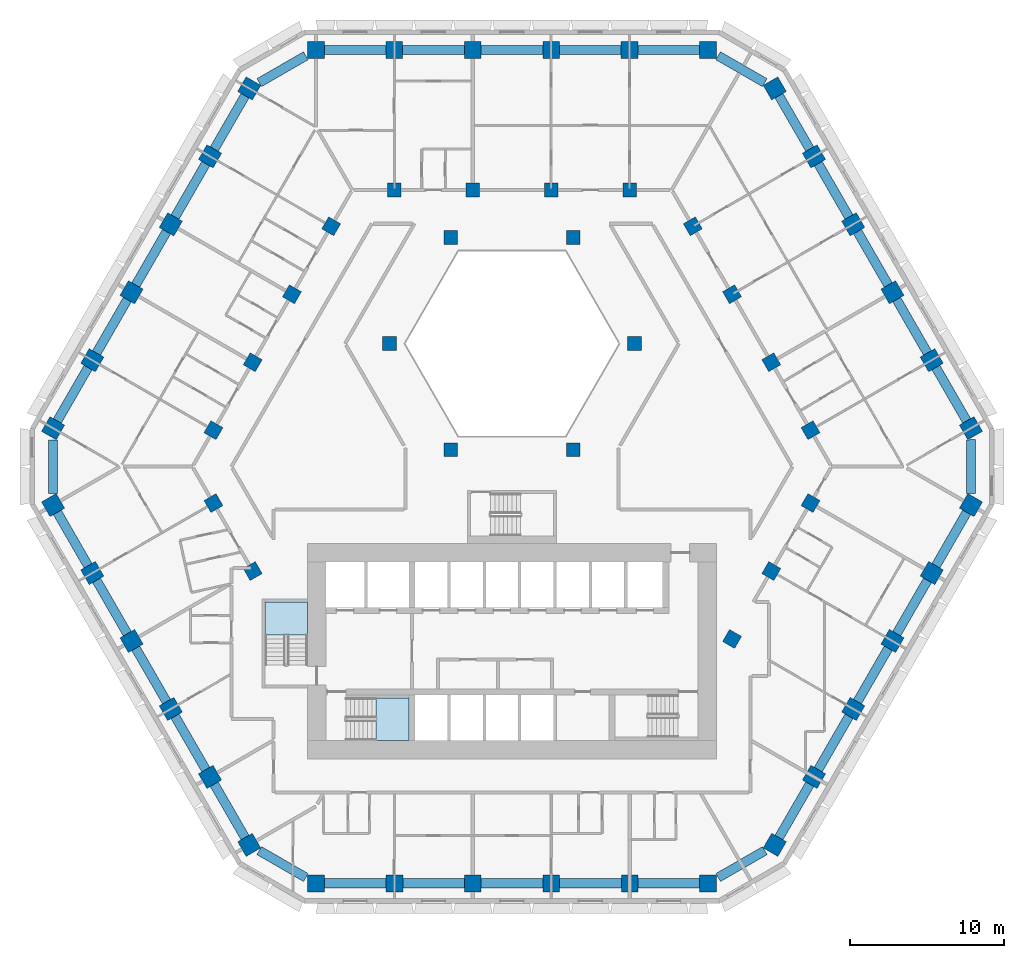
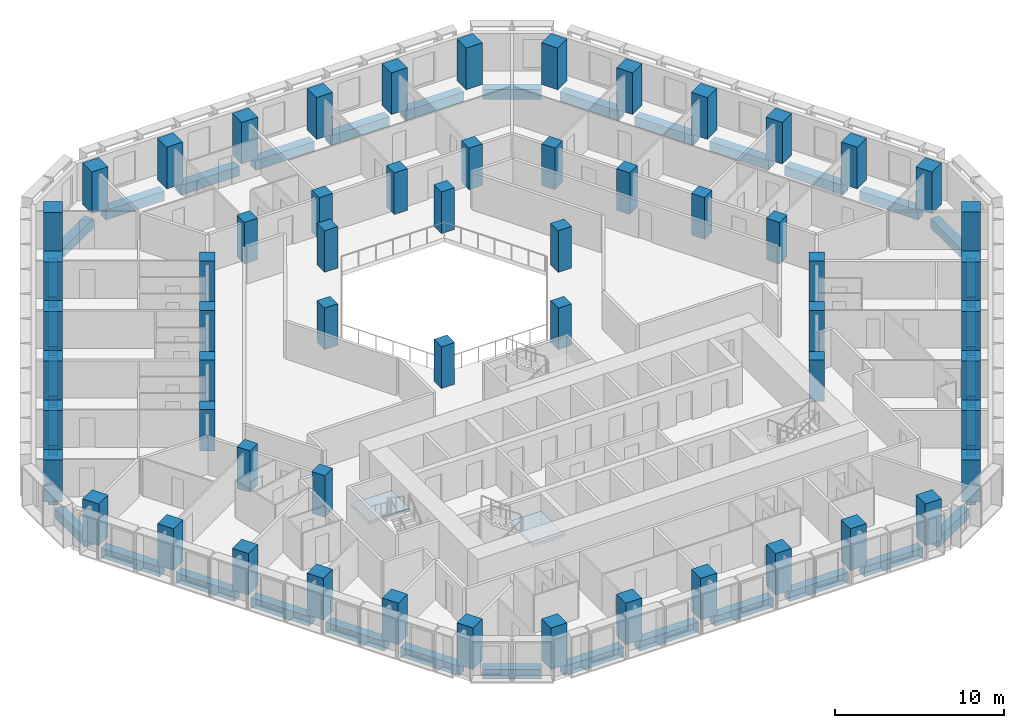
# One storey, part 1 of 16: 59 columns, 36 beams, 2 slabs, 2 elements without a shape of their own.
"""IFC4 building model written with IfcOpenShell, lengths in metres."""

from ifc_helpers import new_model, si_unit, direction, frame, origin, origin_2d, place, context, subcontext, project, spatial, polyline, rectangle, outline, extrude, material, layer, layer_set, material_profile, profile_set, type_object, element, aggregate, save


model = new_model("IFC4")

# Units and contexts
model_context = context("Model", 3, precision=1e-05, world=origin(), true_north=direction((0.0, 1.0)))
body_context = subcontext(model_context, "Body", "Model", "MODEL_VIEW")
ifc_project = project(units=[si_unit("LENGTHUNIT", "METRE"), si_unit("AREAUNIT", "SQUARE_METRE"), si_unit("VOLUMEUNIT", "CUBIC_METRE"), si_unit("PLANEANGLEUNIT", "RADIAN"), si_unit("MASSUNIT", "GRAM", prefix="KILO")], contexts=[model_context])

# Site, building, storey
site_placement = place(None, origin())
site = spatial("IfcSite", under=ifc_project, at=site_placement, CompositionType="ELEMENT")
building_placement = place(site_placement, origin())
building = spatial("IfcBuilding", under=site, at=building_placement, Name="Beryl Residences", CompositionType="ELEMENT")
storey_placement = place(building_placement, frame((0.0, 0.0, 44.39990234375)))
storey = spatial("IfcBuildingStorey", under=building, at=storey_placement, Name="L13", CompositionType="ELEMENT", Elevation=44.39990234375)

# Columns
ifc_material_1 = material(Name="Concrete C80/95", Category="concrete")
ifc_material_profile_1 = material_profile(ifc_material_1, rectangle(XDim=1.10009765625, YDim=1.10009765625, at=origin_2d()))
ifc_profile_set_1 = profile_set([ifc_material_profile_1], Name="Concrete C80/95")
column_type_1 = type_object("IfcColumnType", Name="C1 tube column 1100 x 1100 C80/95", PredefinedType="COLUMN", material=ifc_profile_set_1)
for number, where, z_axis, x_axis, name in (
    (1, (12.759033203125, 27.10009765625, 0.0), (0.0, 0.0, 1.0), (-1.0, 0.0, 0.0), "C1-N1 L13"),
    (2, (7.655029296875, 27.10009765625, 0.0), (0.0, 0.0, 1.0), (-1.0, 0.0, 0.0), "C1-N2 L13"),
    (3, (2.551025390625, 27.10009765625, 0.0), (0.0, 0.0, 1.0), (-1.0, 0.0, 0.0), "C1-N3 L13"),
    (4, (-2.552978515625, 27.10009765625, 0.0), (0.0, 0.0, 1.0), (-1.0, 0.0, 0.0), "C1-N4 L13"),
    (5, (-7.656982421875, 27.10009765625, 0.0), (0.0, 0.0, 1.0), (-1.0, 0.0, 0.0), "C1-N5 L13"),
    (6, (-12.760986328125, 27.10009765625, 0.0), (0.0, 0.0, 1.0), (-1.0, 0.0, 0.0), "C1-N6 L13"),
    (7, (-17.090087890625, 24.60009765625, 0.0), (0.0, 0.0, 1.0), (-0.499984884929, -0.866034130299, 0.0), "C1-NW1 L13"),
    (8, (-19.64208984375, 20.179931640625, 0.0), (0.0, 0.0, 1.0), (-0.499984884929, -0.866034130299, 0.0), "C1-NW2 L13"),
    (9, (-22.194091796875, 15.759033203125, 0.0), (0.0, 0.0, 1.0), (-0.499984884929, -0.866034130299, 0.0), "C1-NW3 L13"),
    (10, (-24.74609375, 11.339111328125, 0.0), (0.0, 0.0, 1.0), (-0.499984884929, -0.866034130299, 0.0), "C1-NW4 L13"),
    (11, (-27.298095703125, 6.9189453125, 0.0), (0.0, 0.0, 1.0), (-0.499984884929, -0.866034130299, 0.0), "C1-NW5 L13"),
    (12, (-29.84912109375, 2.4990234375, 0.0), (0.0, 0.0, 1.0), (-0.499984884929, -0.866034130299, 0.0), "C1-NW6 L13"),
    (13, (-29.847900390625, -2.5, 0.0), (0.0, 0.0, 1.0), (0.499984884929, -0.866034130299, 0.0), "C1-SW1 L13"),
    (14, (-27.297119140625, -6.9208984375, 0.0), (0.0, 0.0, 1.0), (0.499984884929, -0.866034130299, 0.0), "C1-SW2 L13"),
    (15, (-24.7451171875, -11.341064453125, 0.0), (0.0, 0.0, 1.0), (0.499984884929, -0.866034130299, 0.0), "C1-SW3 L13"),
    (16, (-22.193115234375, -15.760986328125, 0.0), (0.0, 0.0, 1.0), (0.499984884929, -0.866034130299, 0.0), "C1-SW4 L13"),
    (17, (-19.64111328125, -20.180908203125, 0.0), (0.0, 0.0, 1.0), (0.499984884929, -0.866034130299, 0.0), "C1-SW5 L13"),
    (18, (-17.089111328125, -24.60107421875, 0.0), (0.0, 0.0, 1.0), (0.499984884929, -0.866034130299, 0.0), "C1-SW6 L13"),
    (19, (-12.759033203125, -27.10009765625, 0.0), (0.0, 0.0, 1.0), (1.0, 0.0, 0.0), "C1-S1 L13"),
    (20, (-7.655029296875, -27.10009765625, 0.0), (0.0, 0.0, 1.0), (1.0, 0.0, 0.0), "C1-S2 L13"),
    (21, (-2.551025390625, -27.10009765625, 0.0), (0.0, 0.0, 1.0), (1.0, 0.0, 0.0), "C1-S3 L13"),
    (22, (2.552978515625, -27.10009765625, 0.0), (0.0, 0.0, 1.0), (1.0, 0.0, 0.0), "C1-S4 L13"),
    (23, (7.656982421875, -27.10009765625, 0.0), (0.0, 0.0, 1.0), (1.0, 0.0, 0.0), "C1-S5 L13"),
    (24, (12.760986328125, -27.10009765625, 0.0), (0.0, 0.0, 1.0), (1.0, 0.0, 0.0), "C1-S6 L13"),
    (25, (17.090087890625, -24.60009765625, 0.0), (0.0, 0.0, 1.0), (0.499984884929, 0.866034130299, 0.0), "C1-SE1 L13"),
    (26, (19.64208984375, -20.179931640625, 0.0), (0.0, 0.0, 1.0), (0.499984884929, 0.866034130299, 0.0), "C1-SE2 L13"),
    (27, (22.194091796875, -15.759033203125, 0.0), (0.0, 0.0, 1.0), (0.499984884929, 0.866034130299, 0.0), "C1-SE3 L13"),
    (28, (24.74609375, -11.339111328125, 0.0), (0.0, 0.0, 1.0), (0.499984884929, 0.866034130299, 0.0), "C1-SE4 L13"),
    (29, (27.298095703125, -6.9189453125, 0.0), (0.0, 0.0, 1.0), (0.499984884929, 0.866034130299, 0.0), "C1-SE5 L13"),
    (30, (29.84912109375, -2.4990234375, 0.0), (0.0, 0.0, 1.0), (0.499984884929, 0.866034130299, 0.0), "C1-SE6 L13"),
    (31, (29.847900390625, 2.5, 0.0), (0.0, 0.0, 1.0), (-0.499984884929, 0.866034130299, 0.0), "C1-NE1 L13"),
    (32, (27.297119140625, 6.9208984375, 0.0), (0.0, 0.0, 1.0), (-0.499984884929, 0.866034130299, 0.0), "C1-NE2 L13"),
    (33, (24.7451171875, 11.341064453125, 0.0), (0.0, 0.0, 1.0), (-0.499984884929, 0.866034130299, 0.0), "C1-NE3 L13"),
    (34, (22.193115234375, 15.760986328125, 0.0), (0.0, 0.0, 1.0), (-0.499984884929, 0.866034130299, 0.0), "C1-NE4 L13"),
    (35, (19.64111328125, 20.180908203125, 0.0), (0.0, 0.0, 1.0), (-0.499984884929, 0.866034130299, 0.0), "C1-NE5 L13"),
    (36, (17.089111328125, 24.60107421875, 0.0), (0.0, 0.0, 1.0), (-0.499984884929, 0.866034130299, 0.0), "C1-NE6 L13"),
):
    element("IfcColumn", number, at=place(storey_placement, frame(where, z_axis=z_axis, x_axis=x_axis)), inside=storey, type_object=column_type_1, Name=name, PredefinedType="COLUMN", context=body_context, shape_type="SweptSolid", body=[
        extrude(rectangle(XDim=1.10009765625, YDim=1.10009765625, at=origin_2d()), origin(), (0.0, 0.0, 1.0), 3.0),
    ])
ifc_material_2 = material(Name="Concrete C80/95", Category="concrete")
ifc_material_profile_2 = material_profile(ifc_material_2, rectangle(XDim=0.89990234375, YDim=0.89990234375, at=origin_2d()))
ifc_profile_set_2 = profile_set([ifc_material_profile_2], Name="Concrete C80/95")
column_type_2 = type_object("IfcColumnType", Name="IC1 interior column 900 x 900 C80/95", PredefinedType="COLUMN", material=ifc_profile_set_2)
for number, where, z_axis, x_axis, name in (
    (37, (-19.416015625, -2.37109375, 0.0), (0.0, 0.0, 1.0), (0.499984884929, -0.866034130299, 0.0), "IC1-M01 L13"),
    (38, (-16.864013671875, -6.791015625, 0.0), (0.0, 0.0, 1.0), (0.499984884929, -0.866034130299, 0.0), "IC1-M02 L13"),
    (39, (14.31298828125, -11.208984375, 0.0), (0.0, 0.0, 1.0), (0.499984884929, 0.866034130299, 0.0), "IC1-M03 L13"),
    (40, (16.864990234375, -6.7890625, 0.0), (0.0, 0.0, 1.0), (0.499984884929, 0.866034130299, 0.0), "IC1-M04 L13"),
    (41, (19.4169921875, -2.368896484375, 0.0), (0.0, 0.0, 1.0), (0.499984884929, 0.866034130299, 0.0), "IC1-M05 L13"),
    (42, (19.416015625, 2.37109375, 0.0), (0.0, 0.0, 1.0), (-0.499984884929, 0.866034130299, 0.0), "IC1-M06 L13"),
    (43, (3.98388671875, 1.10009765625, 0.0), (0.0, 0.0, 1.0), (1.0, 0.0, 0.0), "IC1-A07 L13"),
    (44, (16.864013671875, 6.791015625, 0.0), (0.0, 0.0, 1.0), (-0.499984884929, 0.866034130299, 0.0), "IC1-M08 L13"),
    (45, (14.31201171875, 11.2109375, 0.0), (0.0, 0.0, 1.0), (-0.499984884929, 0.866034130299, 0.0), "IC1-M09 L13"),
    (46, (7.967041015625, 8.0, 0.0), (0.0, 0.0, 1.0), (1.0, 0.0, 0.0), "IC1-A10 L13"),
    (47, (11.760009765625, 15.631103515625, 0.0), (0.0, 0.0, 1.0), (-0.499984884929, 0.866034130299, 0.0), "IC1-M11 L13"),
    (48, (7.655029296875, 18.0, 0.0), (0.0, 0.0, 1.0), (-1.0, 0.0, 0.0), "IC1-M12 L13"),
    (49, (3.98388671875, 14.89990234375, 0.0), (0.0, 0.0, 1.0), (1.0, 0.0, 0.0), "IC1-A13 L13"),
    (50, (2.551025390625, 18.0, 0.0), (0.0, 0.0, 1.0), (-1.0, 0.0, 0.0), "IC1-M14 L13"),
    (51, (-2.552978515625, 18.0, 0.0), (0.0, 0.0, 1.0), (-1.0, 0.0, 0.0), "IC1-M15 L13"),
    (52, (-3.98388671875, 14.89990234375, 0.0), (0.0, 0.0, 1.0), (1.0, 0.0, 0.0), "IC1-A16 L13"),
    (53, (-7.656982421875, 18.0, 0.0), (0.0, 0.0, 1.0), (-1.0, 0.0, 0.0), "IC1-M17 L13"),
    (54, (-11.760986328125, 15.6298828125, 0.0), (0.0, 0.0, 1.0), (-0.499984884929, -0.866034130299, 0.0), "IC1-M18 L13"),
    (55, (-7.967041015625, 8.0, 0.0), (0.0, 0.0, 1.0), (1.0, 0.0, 0.0), "IC1-A19 L13"),
    (56, (-14.31298828125, 11.208984375, 0.0), (0.0, 0.0, 1.0), (-0.499984884929, -0.866034130299, 0.0), "IC1-M20 L13"),
    (57, (-16.864990234375, 6.7890625, 0.0), (0.0, 0.0, 1.0), (-0.499984884929, -0.866034130299, 0.0), "IC1-M21 L13"),
    (58, (-3.98388671875, 1.10009765625, 0.0), (0.0, 0.0, 1.0), (1.0, 0.0, 0.0), "IC1-A22 L13"),
    (59, (-19.4169921875, 2.368896484375, 0.0), (0.0, 0.0, 1.0), (-0.499984884929, -0.866034130299, 0.0), "IC1-M23 L13"),
):
    element("IfcColumn", number, at=place(storey_placement, frame(where, z_axis=z_axis, x_axis=x_axis)), inside=storey, type_object=column_type_2, Name=name, PredefinedType="COLUMN", context=body_context, shape_type="SweptSolid", body=[
        extrude(rectangle(XDim=0.89990234375, YDim=0.89990234375, at=origin_2d()), origin(), (0.0, 0.0, 1.0), 3.0),
    ])

# Beams
ifc_material_3 = material(Name="Concrete C80/95", Category="concrete")
ifc_material_profile_3 = material_profile(ifc_material_3, rectangle(XDim=0.60009765625, YDim=0.699951171875, at=origin_2d()))
ifc_profile_set_3 = profile_set([ifc_material_profile_3], Name="Concrete C80/95")
beam_type = type_object("IfcBeamType", Name="SB1 spandrel beam 600 x 700 C80/95", PredefinedType="SPANDREL", material=ifc_profile_set_3)
for number, where, z_axis, x_axis, name in (
    (60, (12.208984375, 27.10009765625, -0.64990234375), (-1.0, 0.0, 0.0), (0.0, -1.0, 0.0), "SB1 L13 N-0"),
    (61, (7.10498046875, 27.10009765625, -0.64990234375), (-1.0, 0.0, 0.0), (0.0, -1.0, 0.0), "SB1 L13 N-1"),
    (62, (2.0009765625, 27.10009765625, -0.64990234375), (-1.0, 0.0, 0.0), (0.0, -1.0, 0.0), "SB1 L13 N-2"),
    (63, (-3.10302734375, 27.10009765625, -0.64990234375), (-1.0, 0.0, 0.0), (0.0, -1.0, 0.0), "SB1 L13 N-3"),
    (64, (-8.20703125, 27.10009765625, -0.64990234375), (-1.0, 0.0, 0.0), (0.0, -1.0, 0.0), "SB1 L13 N-4"),
):
    element("IfcBeam", number, at=place(storey_placement, frame(where, z_axis=z_axis, x_axis=x_axis)), inside=storey, type_object=beam_type, Name=name, PredefinedType="SPANDREL", context=body_context, shape_type="SweptSolid", body=[
        extrude(rectangle(XDim=0.60009765625, YDim=0.699951171875, at=origin_2d()), origin(), (0.0, 0.0, 1.0), 4.00390625),
    ])
beam_1_placement = place(storey_placement, frame((-13.410888671875, 26.72412109375, -0.64990234375), z_axis=(-0.866121658299, -0.499833245218, 0.0), x_axis=(0.499833245218, -0.866121658299, 0.0)))
element("IfcBeam", 65, at=beam_1_placement, inside=storey, type_object=beam_type, Name="SB1 L13 N-5", PredefinedType="SPANDREL", context=body_context, shape_type="SweptSolid", body=[
    extrude(rectangle(XDim=0.60009765625, YDim=0.699951171875, at=origin_2d()), origin(), (0.0, 0.0, 1.0), 3.497314453125),
])
beam_2_placement = place(storey_placement, frame((-17.364990234375, 24.1240234375, -0.64990234375), z_axis=(-0.499942357345, -0.866058681229, 0.0), x_axis=(0.866058681229, -0.499942357345, 0.0)))
element("IfcBeam", 66, at=beam_2_placement, inside=storey, type_object=beam_type, Name="SB1 L13 NW-0", PredefinedType="SPANDREL", context=body_context, shape_type="SweptSolid", body=[
    extrude(rectangle(XDim=0.60009765625, YDim=0.699951171875, at=origin_2d()), origin(), (0.0, 0.0, 1.0), 4.00439453125),
])
beam_3_placement = place(storey_placement, frame((-19.9169921875, 19.7041015625, -0.64990234375), z_axis=(-0.499836783367, -0.866119616446, 0.0), x_axis=(0.866119616446, -0.499836783367, 0.0)))
element("IfcBeam", 67, at=beam_3_placement, inside=storey, type_object=beam_type, Name="SB1 L13 NW-1", PredefinedType="SPANDREL", context=body_context, shape_type="SweptSolid", body=[
    extrude(rectangle(XDim=0.60009765625, YDim=0.699951171875, at=origin_2d()), origin(), (0.0, 0.0, 1.0), 4.005126953125),
])
for number, where, z_axis, x_axis, name in (
    (68, (-22.468994140625, 15.282958984375, -0.64990234375), (-0.499942357345, -0.866058681229, 0.0), (0.866058681229, -0.499942357345, 0.0), "SB1 L13 NW-2"),
    (69, (-25.02099609375, 10.863037109375, -0.64990234375), (-0.499942357345, -0.866058681229, 0.0), (0.866058681229, -0.499942357345, 0.0), "SB1 L13 NW-3"),
):
    element("IfcBeam", number, at=place(storey_placement, frame(where, z_axis=z_axis, x_axis=x_axis)), inside=storey, type_object=beam_type, Name=name, PredefinedType="SPANDREL", context=body_context, shape_type="SweptSolid", body=[
        extrude(rectangle(XDim=0.60009765625, YDim=0.699951171875, at=origin_2d()), origin(), (0.0, 0.0, 1.0), 4.00439453125),
    ])
beam_4_placement = place(storey_placement, frame((-27.572998046875, 6.443115234375, -0.64990234375), z_axis=(-0.499759404093, -0.866164267342, 0.0), x_axis=(0.866164267342, -0.499759404093, 0.0)))
element("IfcBeam", 70, at=beam_4_placement, inside=storey, type_object=beam_type, Name="SB1 L13 NW-4", PredefinedType="SPANDREL", context=body_context, shape_type="SweptSolid", body=[
    extrude(rectangle(XDim=0.60009765625, YDim=0.699951171875, at=origin_2d()), origin(), (0.0, 0.0, 1.0), 4.00390625),
])
beam_5_placement = place(storey_placement, frame((-29.84912109375, 1.748046875, -0.64990234375), z_axis=(0.000349064486, -0.999999939077, 0.0), x_axis=(0.999999939077, 0.000349064486, 0.0)))
element("IfcBeam", 71, at=beam_5_placement, inside=storey, type_object=beam_type, Name="SB1 L13 NW-5", PredefinedType="SPANDREL", context=body_context, shape_type="SweptSolid", body=[
    extrude(rectangle(XDim=0.60009765625, YDim=0.699951171875, at=origin_2d()), origin(), (0.0, 0.0, 1.0), 3.4970703125),
])
beam_6_placement = place(storey_placement, frame((-29.572998046875, -2.97607421875, -0.64990234375), z_axis=(0.499653843024, -0.866225165388, 0.0), x_axis=(0.866225165388, 0.499653843024, 0.0)))
element("IfcBeam", 72, at=beam_6_placement, inside=storey, type_object=beam_type, Name="SB1 L13 SW-0", PredefinedType="SPANDREL", context=body_context, shape_type="SweptSolid", body=[
    extrude(rectangle(XDim=0.60009765625, YDim=0.699951171875, at=origin_2d()), origin(), (0.0, 0.0, 1.0), 4.004638671875),
])
for number, where, z_axis, x_axis, name in (
    (73, (-27.02197265625, -7.39697265625, -0.64990234375), (0.499942357345, -0.866058681229, 0.0), (0.866058681229, 0.499942357345, 0.0), "SB1 L13 SW-1"),
    (74, (-24.469970703125, -11.81689453125, -0.64990234375), (0.499942357345, -0.866058681229, 0.0), (0.866058681229, 0.499942357345, 0.0), "SB1 L13 SW-2"),
    (75, (-21.91796875, -16.237060546875, -0.64990234375), (0.499942357345, -0.866058681229, 0.0), (0.866058681229, 0.499942357345, 0.0), "SB1 L13 SW-3"),
    (76, (-19.365966796875, -20.656982421875, -0.64990234375), (0.499942357345, -0.866058681229, 0.0), (0.866058681229, 0.499942357345, 0.0), "SB1 L13 SW-4"),
):
    element("IfcBeam", number, at=place(storey_placement, frame(where, z_axis=z_axis, x_axis=x_axis)), inside=storey, type_object=beam_type, Name=name, PredefinedType="SPANDREL", context=body_context, shape_type="SweptSolid", body=[
        extrude(rectangle(XDim=0.60009765625, YDim=0.699951171875, at=origin_2d()), origin(), (0.0, 0.0, 1.0), 4.00439453125),
    ])
beam_7_placement = place(storey_placement, frame((-16.43896484375, -24.97607421875, -0.64990234375), z_axis=(0.866070549782, -0.499921796684, 0.0), x_axis=(0.499921796684, 0.866070549782, 0.0)))
element("IfcBeam", 77, at=beam_7_placement, inside=storey, type_object=beam_type, Name="SB1 L13 SW-5", PredefinedType="SPANDREL", context=body_context, shape_type="SweptSolid", body=[
    extrude(rectangle(XDim=0.60009765625, YDim=0.699951171875, at=origin_2d()), origin(), (0.0, 0.0, 1.0), 3.49853515625),
])
for number, where, z_axis, x_axis, name in (
    (78, (-12.208984375, -27.10009765625, -0.64990234375), (1.0, 0.0, 0.0), (0.0, 1.0, 0.0), "SB1 L13 S-0"),
    (79, (-7.10498046875, -27.10009765625, -0.64990234375), (1.0, 0.0, 0.0), (0.0, 1.0, 0.0), "SB1 L13 S-1"),
    (80, (-2.0009765625, -27.10009765625, -0.64990234375), (1.0, 0.0, 0.0), (0.0, 1.0, 0.0), "SB1 L13 S-2"),
    (81, (3.10302734375, -27.10009765625, -0.64990234375), (1.0, 0.0, 0.0), (0.0, 1.0, 0.0), "SB1 L13 S-3"),
    (82, (8.20703125, -27.10009765625, -0.64990234375), (1.0, 0.0, 0.0), (0.0, 1.0, 0.0), "SB1 L13 S-4"),
):
    element("IfcBeam", number, at=place(storey_placement, frame(where, z_axis=z_axis, x_axis=x_axis)), inside=storey, type_object=beam_type, Name=name, PredefinedType="SPANDREL", context=body_context, shape_type="SweptSolid", body=[
        extrude(rectangle(XDim=0.60009765625, YDim=0.699951171875, at=origin_2d()), origin(), (0.0, 0.0, 1.0), 4.00390625),
    ])
beam_8_placement = place(storey_placement, frame((13.410888671875, -26.72412109375, -0.64990234375), z_axis=(0.866121658299, 0.499833245218, 0.0), x_axis=(-0.499833245218, 0.866121658299, 0.0)))
element("IfcBeam", 83, at=beam_8_placement, inside=storey, type_object=beam_type, Name="SB1 L13 S-5", PredefinedType="SPANDREL", context=body_context, shape_type="SweptSolid", body=[
    extrude(rectangle(XDim=0.60009765625, YDim=0.699951171875, at=origin_2d()), origin(), (0.0, 0.0, 1.0), 3.497314453125),
])
beam_9_placement = place(storey_placement, frame((17.364990234375, -24.1240234375, -0.64990234375), z_axis=(0.499942357345, 0.866058681229, 0.0), x_axis=(-0.866058681229, 0.499942357345, 0.0)))
element("IfcBeam", 84, at=beam_9_placement, inside=storey, type_object=beam_type, Name="SB1 L13 SE-0", PredefinedType="SPANDREL", context=body_context, shape_type="SweptSolid", body=[
    extrude(rectangle(XDim=0.60009765625, YDim=0.699951171875, at=origin_2d()), origin(), (0.0, 0.0, 1.0), 4.00439453125),
])
beam_10_placement = place(storey_placement, frame((19.9169921875, -19.7041015625, -0.64990234375), z_axis=(0.499836783367, 0.866119616446, 0.0), x_axis=(-0.866119616446, 0.499836783367, 0.0)))
element("IfcBeam", 85, at=beam_10_placement, inside=storey, type_object=beam_type, Name="SB1 L13 SE-1", PredefinedType="SPANDREL", context=body_context, shape_type="SweptSolid", body=[
    extrude(rectangle(XDim=0.60009765625, YDim=0.699951171875, at=origin_2d()), origin(), (0.0, 0.0, 1.0), 4.005126953125),
])
for number, where, z_axis, x_axis, name in (
    (86, (22.468994140625, -15.282958984375, -0.64990234375), (0.499942357345, 0.866058681229, 0.0), (-0.866058681229, 0.499942357345, 0.0), "SB1 L13 SE-2"),
    (87, (25.02099609375, -10.863037109375, -0.64990234375), (0.499942357345, 0.866058681229, 0.0), (-0.866058681229, 0.499942357345, 0.0), "SB1 L13 SE-3"),
):
    element("IfcBeam", number, at=place(storey_placement, frame(where, z_axis=z_axis, x_axis=x_axis)), inside=storey, type_object=beam_type, Name=name, PredefinedType="SPANDREL", context=body_context, shape_type="SweptSolid", body=[
        extrude(rectangle(XDim=0.60009765625, YDim=0.699951171875, at=origin_2d()), origin(), (0.0, 0.0, 1.0), 4.00439453125),
    ])
beam_11_placement = place(storey_placement, frame((27.572998046875, -6.443115234375, -0.64990234375), z_axis=(0.499759404093, 0.866164267342, 0.0), x_axis=(-0.866164267342, 0.499759404093, 0.0)))
element("IfcBeam", 88, at=beam_11_placement, inside=storey, type_object=beam_type, Name="SB1 L13 SE-4", PredefinedType="SPANDREL", context=body_context, shape_type="SweptSolid", body=[
    extrude(rectangle(XDim=0.60009765625, YDim=0.699951171875, at=origin_2d()), origin(), (0.0, 0.0, 1.0), 4.00390625),
])
beam_12_placement = place(storey_placement, frame((29.84912109375, -1.748046875, -0.64990234375), z_axis=(-0.000349064486, 0.999999939077, 0.0), x_axis=(-0.999999939077, -0.000349064486, 0.0)))
element("IfcBeam", 89, at=beam_12_placement, inside=storey, type_object=beam_type, Name="SB1 L13 SE-5", PredefinedType="SPANDREL", context=body_context, shape_type="SweptSolid", body=[
    extrude(rectangle(XDim=0.60009765625, YDim=0.699951171875, at=origin_2d()), origin(), (0.0, 0.0, 1.0), 3.4970703125),
])
beam_13_placement = place(storey_placement, frame((29.572998046875, 2.97607421875, -0.64990234375), z_axis=(-0.499653843024, 0.866225165388, 0.0), x_axis=(-0.866225165388, -0.499653843024, 0.0)))
element("IfcBeam", 90, at=beam_13_placement, inside=storey, type_object=beam_type, Name="SB1 L13 NE-0", PredefinedType="SPANDREL", context=body_context, shape_type="SweptSolid", body=[
    extrude(rectangle(XDim=0.60009765625, YDim=0.699951171875, at=origin_2d()), origin(), (0.0, 0.0, 1.0), 4.004638671875),
])
for number, where, z_axis, x_axis, name in (
    (91, (27.02197265625, 7.39697265625, -0.64990234375), (-0.499942357345, 0.866058681229, 0.0), (-0.866058681229, -0.499942357345, 0.0), "SB1 L13 NE-1"),
    (92, (24.469970703125, 11.81689453125, -0.64990234375), (-0.499942357345, 0.866058681229, 0.0), (-0.866058681229, -0.499942357345, 0.0), "SB1 L13 NE-2"),
    (93, (21.91796875, 16.237060546875, -0.64990234375), (-0.499942357345, 0.866058681229, 0.0), (-0.866058681229, -0.499942357345, 0.0), "SB1 L13 NE-3"),
    (94, (19.365966796875, 20.656982421875, -0.64990234375), (-0.499942357345, 0.866058681229, 0.0), (-0.866058681229, -0.499942357345, 0.0), "SB1 L13 NE-4"),
):
    element("IfcBeam", number, at=place(storey_placement, frame(where, z_axis=z_axis, x_axis=x_axis)), inside=storey, type_object=beam_type, Name=name, PredefinedType="SPANDREL", context=body_context, shape_type="SweptSolid", body=[
        extrude(rectangle(XDim=0.60009765625, YDim=0.699951171875, at=origin_2d()), origin(), (0.0, 0.0, 1.0), 4.00439453125),
    ])
beam_14_placement = place(storey_placement, frame((16.43896484375, 24.97607421875, -0.64990234375), z_axis=(-0.866070549782, 0.499921796684, 0.0), x_axis=(-0.499921796684, -0.866070549782, 0.0)))
element("IfcBeam", 95, at=beam_14_placement, inside=storey, type_object=beam_type, Name="SB1 L13 NE-5", PredefinedType="SPANDREL", context=body_context, shape_type="SweptSolid", body=[
    extrude(rectangle(XDim=0.60009765625, YDim=0.699951171875, at=origin_2d()), origin(), (0.0, 0.0, 1.0), 3.49853515625),
])

# Stair, slab
ifc_material_4 = material(Name="Concrete C40/50", Category="concrete")
stair_type = type_object("IfcStairType", Name="ST1 protected exit stair, half-turn, 1300 mm flights", PredefinedType="HALF_TURN_STAIR", material=ifc_material_4)
stair_1_placement = place(storey_placement, origin())
stair_1 = element("IfcStair", 96, at=stair_1_placement, inside=storey, type_object=stair_type, Name="L13 PROTECTED EXIT STAIR ST-1", PredefinedType="HALF_TURN_STAIR")
ifc_material_5 = material(Name="Concrete C40/50", Category="concrete")
ifc_layer = layer(ifc_material_5, 0.199951171875)
ifc_layer_set = layer_set([ifc_layer], Name="SLD1 stair landing 200 mm")
slab_type = type_object("IfcSlabType", Name="SLD1 stair landing 200 mm", PredefinedType="LANDING", material=ifc_layer_set)
slab_1_placement = place(storey_placement, frame((0.0, 0.0, 1.300048828125)))
slab_1 = element("IfcSlab", 97, at=slab_1_placement, type_object=slab_type, Name="ST-1 landing 1", PredefinedType="LANDING", context=body_context, shape_type="SweptSolid", body=[
    extrude(outline(polyline([(-8.840087890625, -17.800048828125), (-6.699951171875, -17.800048828125), (-6.699951171875, -15.050048828125), (-8.840087890625, -15.050048828125), (-8.840087890625, -17.800048828125)])), origin(), (0.0, 0.0, 1.0), 0.199951171875),
])
aggregate(stair_1, [slab_1])

stair_2_placement = place(storey_placement, origin())
stair_2 = element("IfcStair", 98, at=stair_2_placement, inside=storey, type_object=stair_type, Name="L13 PROTECTED EXIT STAIR ST-2", PredefinedType="HALF_TURN_STAIR")
slab_2_placement = place(storey_placement, frame((0.0, 0.0, 1.300048828125)))
slab_2 = element("IfcSlab", 99, at=slab_2_placement, type_object=slab_type, Name="ST-2 landing 1", PredefinedType="LANDING", context=body_context, shape_type="SweptSolid", body=[
    extrude(outline(polyline([(-13.300048828125, -10.93994140625), (-13.300048828125, -8.800048828125), (-16.050048828125, -8.800048828125), (-16.050048828125, -10.93994140625), (-13.300048828125, -10.93994140625)])), origin(), (0.0, 0.0, 1.0), 0.199951171875),
])
aggregate(stair_2, [slab_2])

save(model, "model.ifc")
